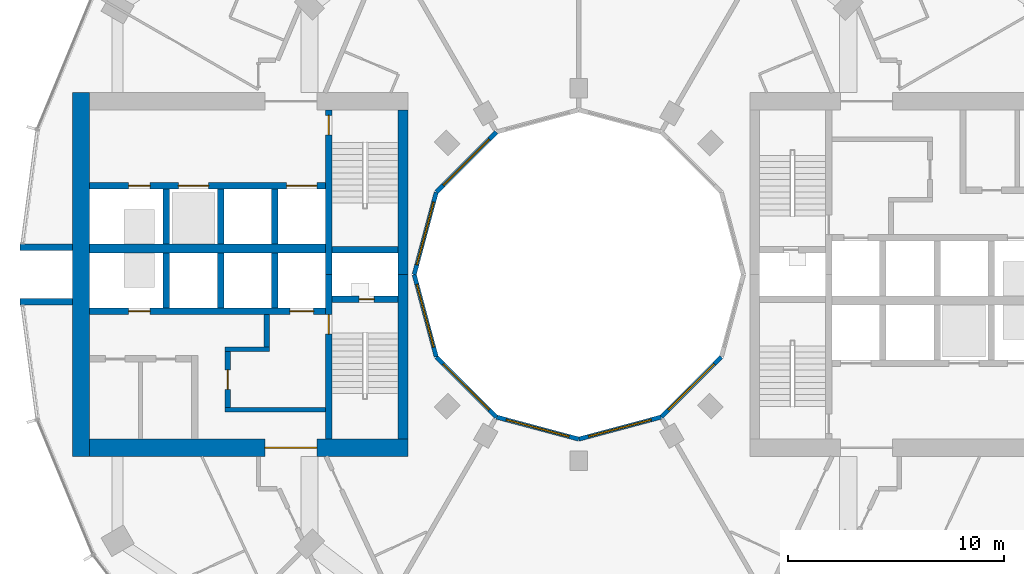
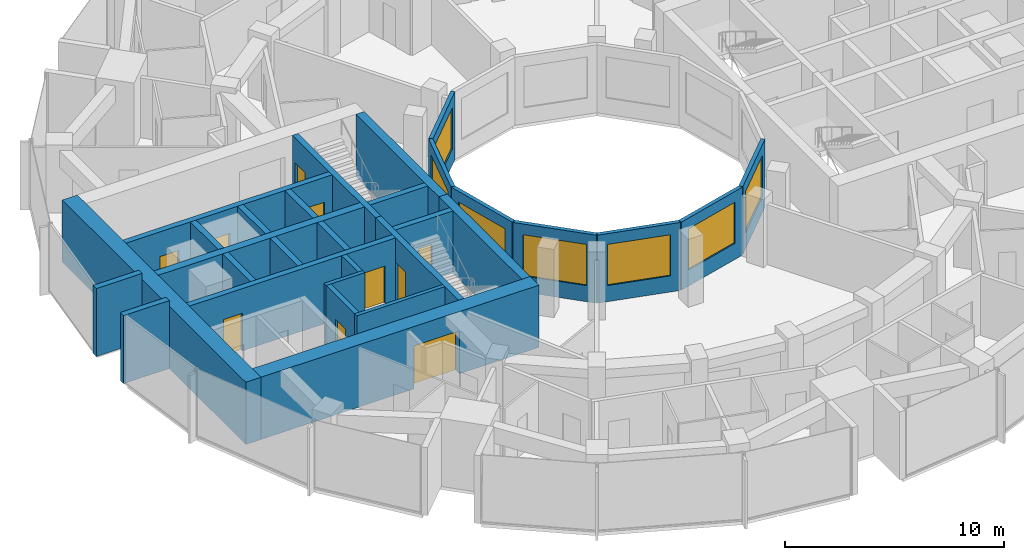
# One storey, part 9 of 15: 30 walls, 10 doors, 7 windows, 17 openings.
"""IFC4 building model written with IfcOpenShell, lengths in metres."""

from ifc_helpers import new_model, si_unit, direction, frame, frame_2d, origin, place, context, subcontext, project, spatial, rectangle, extrude, material, layer, layer_set, type_object, element, fill, save


model = new_model("IFC4")

# Units and contexts
model_context = context("Model", 3, precision=1e-05, world=origin(), true_north=direction((0.0, 1.0)))
body_context = subcontext(model_context, "Body", "Model", "MODEL_VIEW")
ifc_project = project(units=[si_unit("LENGTHUNIT", "METRE"), si_unit("AREAUNIT", "SQUARE_METRE"), si_unit("VOLUMEUNIT", "CUBIC_METRE"), si_unit("PLANEANGLEUNIT", "RADIAN"), si_unit("MASSUNIT", "GRAM", prefix="KILO")], contexts=[model_context])

# Site, building, storey
site_placement = place(None, origin())
site = spatial("IfcSite", under=ifc_project, at=site_placement, CompositionType="ELEMENT")
building_placement = place(site_placement, origin())
building = spatial("IfcBuilding", under=site, at=building_placement, Name="Torre Brocal", CompositionType="ELEMENT")
storey_placement = place(building_placement, frame((0.0, 0.0, 82.39990234375)))
storey = spatial("IfcBuildingStorey", under=building, at=storey_placement, Name="L18", CompositionType="ELEMENT", Elevation=82.39990234375)

# Walls
ifc_material_1 = material(Name="Concrete C80", Category="concrete")
ifc_layer_1 = layer(ifc_material_1, 0.199951171875)
ifc_layer_set_1 = layer_set([ifc_layer_1], Name="Concrete C80")
wall_type_1 = type_object("IfcWallType", Name="CORE WALL 200 C80", PredefinedType="SHEAR", material=ifc_layer_set_1)
wall_1_placement = place(storey_placement, frame((68.300048828125, 68.75, 0.0), z_axis=(0.0, 0.0, 1.0), x_axis=(-1.0, 0.0, 0.0)))
element("IfcWall", 1, at=wall_1_placement, inside=storey, type_object=wall_type_1, Name="Wall CW200-80", PredefinedType="SHEAR", context=body_context, shape_type="SweptSolid", body=[
    extrude(rectangle(XDim=4.650146484375, YDim=0.199951171875, at=frame_2d((2.3251953125, 0.0))), origin(), (0.0, 0.0, 1.0), 3.47998046875),
])
wall_2_placement = place(storey_placement, frame((65.699951171875, 71.550048828125, 0.0), z_axis=(0.0, 0.0, 1.0), x_axis=(-1.0, 0.0, 0.0)))
element("IfcWall", 2, at=wall_2_placement, inside=storey, type_object=wall_type_1, Name="Wall CW200-80", PredefinedType="SHEAR", context=body_context, shape_type="SweptSolid", body=[
    extrude(rectangle(XDim=2.050048828125, YDim=0.199951171875, at=frame_2d((1.02490234375, 0.0))), origin(), (0.0, 0.0, 1.0), 3.47998046875),
])

# Wall, opening, door
ifc_material_2 = material(Name="Concrete C80", Category="concrete")
ifc_layer_2 = layer(ifc_material_2, 0.25)
ifc_layer_set_2 = layer_set([ifc_layer_2], Name="Concrete C80")
wall_type_2 = type_object("IfcWallType", Name="CORE WALL 250 C80", PredefinedType="SHEAR", material=ifc_layer_set_2)
wall_3_placement = place(storey_placement, frame((63.77490234375, 71.449951171875, 0.0), z_axis=(0.0, 0.0, 1.0), x_axis=(0.0, -1.0, 0.0)))
wall_3 = element("IfcWall", 3, at=wall_3_placement, inside=storey, type_object=wall_type_2, Name="Wall CW250-80", PredefinedType="SHEAR", context=body_context, shape_type="SweptSolid", body=[
    extrude(rectangle(XDim=2.599853515625, YDim=0.25, at=frame_2d((1.2998046875, 0.0))), origin(), (0.0, 0.0, 1.0), 3.47998046875),
])
opening_1_placement = place(wall_3_placement, frame((0.85009765625, 0.0, 0.0)))
opening_1 = element("IfcOpeningElement", 4, at=opening_1_placement, cuts=wall_3, Name="Opening W-D15", PredefinedType="OPENING", context=body_context, shape_type="SweptSolid", body=[
    extrude(rectangle(XDim=0.89990234375, YDim=2.10009765625, at=frame_2d((0.449951171875, 1.050048828125))), frame((0.0, 0.135009765625, 0.0), z_axis=(0.0, -1.0, 0.0), x_axis=(1.0, 0.0, 0.0)), (0.0, 0.0, 1.0), 0.27001953125),
])
ifc_material_3 = material(Name="Steel A653", Category="steel")
door_type_1 = type_object("IfcDoorType", Name="LOBBY DOOR FD120 900X2100", OperationType="SINGLE_SWING_RIGHT", PredefinedType="DOOR", material=ifc_material_3)
door_1_placement = place(opening_1_placement, origin())
door_1 = element("IfcDoor", 5, at=door_1_placement, inside=storey, type_object=door_type_1, Name="Door W-D15", OperationType="SINGLE_SWING_LEFT", OverallHeight=2.10009765625, OverallWidth=0.89990234375, PredefinedType="DOOR", context=body_context, shape_type="SweptSolid", body=[
    extrude(rectangle(XDim=0.89990234375, YDim=2.10009765625, at=frame_2d((0.449951171875, 1.050048828125))), frame((0.0, 0.02490234375, 0.0), z_axis=(0.0, -1.0, 0.0), x_axis=(1.0, 0.0, 0.0)), (0.0, 0.0, 1.0), 0.050048828125),
])
fill(opening_1, door_1)

# Wall
wall_4_placement = place(storey_placement, frame((65.574951171875, 73.14990234375, 0.0), z_axis=(0.0, 0.0, 1.0), x_axis=(0.0, -1.0, 0.0)))
element("IfcWall", 6, at=wall_4_placement, inside=storey, type_object=wall_type_2, Name="Wall CW250-80", PredefinedType="SHEAR", context=body_context, shape_type="SweptSolid", body=[
    extrude(rectangle(XDim=1.5, YDim=0.25, at=frame_2d((0.75, 0.0))), origin(), (0.0, 0.0, 1.0), 3.47998046875),
])

# Wall, opening, door
ifc_material_4 = material(Name="Concrete C80", Category="concrete")
ifc_layer_3 = layer(ifc_material_4, 0.300048828125)
ifc_layer_set_3 = layer_set([ifc_layer_3], Name="Concrete C80")
wall_type_3 = type_object("IfcWallType", Name="CORE WALL 300 C80", PredefinedType="SHEAR", material=ifc_layer_set_3)
wall_5_placement = place(storey_placement, frame((68.449951171875, 75.0, 0.0), z_axis=(0.0, 0.0, 1.0), x_axis=(0.0, -1.0, 0.0)))
wall_5 = element("IfcWall", 7, at=wall_5_placement, inside=storey, type_object=wall_type_3, Name="Wall CW300-80", PredefinedType="SHEAR", context=body_context, shape_type="SweptSolid", body=[
    extrude(rectangle(XDim=7.60009765625, YDim=0.300048828125, at=frame_2d((3.800048828125, 0.0))), origin(), (0.0, 0.0, 1.0), 3.47998046875),
])
opening_2_placement = place(wall_5_placement, frame((1.85009765625, 0.0, 0.0)))
opening_2 = element("IfcOpeningElement", 8, at=opening_2_placement, cuts=wall_5, Name="Opening W-D02", PredefinedType="OPENING", context=body_context, shape_type="SweptSolid", body=[
    extrude(rectangle(XDim=0.89990234375, YDim=2.10009765625, at=frame_2d((0.449951171875, 1.050048828125))), frame((0.0, 0.159912109375, 0.0), z_axis=(0.0, -1.0, 0.0), x_axis=(1.0, 0.0, 0.0)), (0.0, 0.0, 1.0), 0.320068359375),
])
ifc_material_5 = material(Name="Steel A653", Category="steel")
door_type_2 = type_object("IfcDoorType", Name="STAIR DOOR FD120 900X2100", OperationType="SINGLE_SWING_RIGHT", PredefinedType="DOOR", material=ifc_material_5)
door_2_placement = place(opening_2_placement, origin())
door_2 = element("IfcDoor", 9, at=door_2_placement, inside=storey, type_object=door_type_2, Name="Door W-D02", OperationType="SINGLE_SWING_LEFT", OverallHeight=2.10009765625, OverallWidth=0.89990234375, PredefinedType="DOOR", context=body_context, shape_type="SweptSolid", body=[
    extrude(rectangle(XDim=0.89990234375, YDim=2.10009765625, at=frame_2d((0.449951171875, 1.050048828125))), frame((0.0, 0.02490234375, 0.0), z_axis=(0.0, -1.0, 0.0), x_axis=(1.0, 0.0, 0.0)), (0.0, 0.0, 1.0), 0.050048828125),
])
fill(opening_2, door_2)

wall_6_placement = place(storey_placement, frame((68.449951171875, 82.60009765625, 0.0), z_axis=(0.0, 0.0, 1.0), x_axis=(0.0, -1.0, 0.0)))
wall_6 = element("IfcWall", 10, at=wall_6_placement, inside=storey, type_object=wall_type_3, Name="Wall CW300-80", PredefinedType="SHEAR", context=body_context, shape_type="SweptSolid", body=[
    extrude(rectangle(XDim=7.60009765625, YDim=0.300048828125, at=frame_2d((3.800048828125, 0.0))), origin(), (0.0, 0.0, 1.0), 3.47998046875),
])
opening_3_placement = place(wall_6_placement, frame((0.25, 0.0, 0.0)))
opening_3 = element("IfcOpeningElement", 11, at=opening_3_placement, cuts=wall_6, Name="Opening W-D03", PredefinedType="OPENING", context=body_context, shape_type="SweptSolid", body=[
    extrude(rectangle(XDim=0.89990234375, YDim=2.10009765625, at=frame_2d((0.449951171875, 1.050048828125))), frame((0.0, 0.159912109375, 0.0), z_axis=(0.0, -1.0, 0.0), x_axis=(1.0, 0.0, 0.0)), (0.0, 0.0, 1.0), 0.320068359375),
])
door_3_placement = place(opening_3_placement, origin())
door_3 = element("IfcDoor", 12, at=door_3_placement, inside=storey, type_object=door_type_2, Name="Door W-D03", OperationType="SINGLE_SWING_LEFT", OverallHeight=2.10009765625, OverallWidth=0.89990234375, PredefinedType="DOOR", context=body_context, shape_type="SweptSolid", body=[
    extrude(rectangle(XDim=0.89990234375, YDim=2.10009765625, at=frame_2d((0.449951171875, 1.050048828125))), frame((0.0, 0.02490234375, 0.0), z_axis=(0.0, -1.0, 0.0), x_axis=(1.0, 0.0, 0.0)), (0.0, 0.0, 1.0), 0.050048828125),
])
fill(opening_3, door_3)

wall_7_placement = place(storey_placement, frame((71.64990234375, 73.85009765625, 0.0), z_axis=(0.0, 0.0, 1.0), x_axis=(-1.0, 0.0, 0.0)))
wall_7 = element("IfcWall", 13, at=wall_7_placement, inside=storey, type_object=wall_type_3, Name="Wall CW300-80", PredefinedType="SHEAR", context=body_context, shape_type="SweptSolid", body=[
    extrude(rectangle(XDim=3.0498046875, YDim=0.300048828125, at=frame_2d((1.52490234375, 0.0))), origin(), (0.0, 0.0, 1.0), 3.47998046875),
])
opening_4_placement = place(wall_7_placement, frame((1.10009765625, 0.0, 0.0)))
opening_4 = element("IfcOpeningElement", 14, at=opening_4_placement, cuts=wall_7, Name="Opening W-D01", PredefinedType="OPENING", context=body_context, shape_type="SweptSolid", body=[
    extrude(rectangle(XDim=0.699951171875, YDim=2.0, at=frame_2d((0.35009765625, 1.0))), frame((0.0, 0.159912109375, 0.0), z_axis=(0.0, -1.0, 0.0), x_axis=(1.0, 0.0, 0.0)), (0.0, 0.0, 1.0), 0.320068359375),
])
ifc_material_6 = material(Name="Steel A653", Category="steel")
door_type_3 = type_object("IfcDoorType", Name="RISER DOOR FD120 700X2000", OperationType="SINGLE_SWING_LEFT", PredefinedType="DOOR", material=ifc_material_6)
door_4_placement = place(opening_4_placement, frame((0.699951171875, 0.0, 0.0), z_axis=(0.0, 0.0, 1.0), x_axis=(-1.0, 0.0, 0.0)))
door_4 = element("IfcDoor", 15, at=door_4_placement, inside=storey, type_object=door_type_3, Name="Door W-D01", OperationType="SINGLE_SWING_RIGHT", OverallHeight=2.0, OverallWidth=0.699951171875, PredefinedType="DOOR", context=body_context, shape_type="SweptSolid", body=[
    extrude(rectangle(XDim=0.699951171875, YDim=2.0, at=frame_2d((0.35009765625, 1.0))), frame((0.0, 0.02490234375, 0.0), z_axis=(0.0, -1.0, 0.0), x_axis=(1.0, 0.0, 0.0)), (0.0, 0.0, 1.0), 0.050048828125),
])
fill(opening_4, door_4)

# Wall
wall_8_placement = place(storey_placement, frame((71.64990234375, 76.14990234375, 0.0), z_axis=(0.0, 0.0, 1.0), x_axis=(-1.0, 0.0, 0.0)))
element("IfcWall", 16, at=wall_8_placement, inside=storey, type_object=wall_type_3, Name="Wall CW300-80", PredefinedType="SHEAR", context=body_context, shape_type="SweptSolid", body=[
    extrude(rectangle(XDim=3.0498046875, YDim=0.300048828125, at=frame_2d((1.52490234375, 0.0))), origin(), (0.0, 0.0, 1.0), 3.47998046875),
])

# Wall, openings, doors
wall_9_placement = place(storey_placement, frame((68.300048828125, 73.300048828125, 0.0), z_axis=(0.0, 0.0, 1.0), x_axis=(-1.0, 0.0, 0.0)))
wall_9 = element("IfcWall", 17, at=wall_9_placement, inside=storey, type_object=wall_type_3, Name="Wall CW300-80", PredefinedType="SHEAR", context=body_context, shape_type="SweptSolid", body=[
    extrude(rectangle(XDim=10.900146484375, YDim=0.300048828125, at=frame_2d((5.4501953125, 0.0))), origin(), (0.0, 0.0, 1.0), 3.47998046875),
])
opening_5_placement = place(wall_9_placement, frame((0.550048828125, 0.0, 0.0)))
opening_5 = element("IfcOpeningElement", 18, at=opening_5_placement, cuts=wall_9, Name="Opening LD", PredefinedType="OPENING", context=body_context, shape_type="SweptSolid", body=[
    extrude(rectangle(XDim=1.10009765625, YDim=2.10009765625, at=frame_2d((0.550048828125, 1.050048828125))), frame((0.0, 0.159912109375, 0.0), z_axis=(0.0, -1.0, 0.0), x_axis=(1.0, 0.0, 0.0)), (0.0, 0.0, 1.0), 0.320068359375),
])
opening_6_placement = place(wall_9_placement, frame((8.10009765625, 0.0, 0.0)))
opening_6 = element("IfcOpeningElement", 19, at=opening_6_placement, cuts=wall_9, Name="Opening LD10", PredefinedType="OPENING", context=body_context, shape_type="SweptSolid", body=[
    extrude(rectangle(XDim=1.0, YDim=2.10009765625, at=frame_2d((0.5, 1.050048828125))), frame((0.0, 0.159912109375, 0.0), z_axis=(0.0, -1.0, 0.0), x_axis=(1.0, 0.0, 0.0)), (0.0, 0.0, 1.0), 0.320068359375),
])
ifc_material_7 = material(Name="Stainless steel AISI 316", Category="steel")
door_type_4 = type_object("IfcDoorType", Name="LIFT LANDING DOOR 1000X2100", OperationType="DOUBLE_DOOR_SLIDING", PredefinedType="DOOR", material=ifc_material_7)
door_5_placement = place(opening_6_placement, origin())
door_5 = element("IfcDoor", 20, at=door_5_placement, inside=storey, type_object=door_type_4, Name="Door LD10", OperationType="DOUBLE_DOOR_SLIDING", OverallHeight=2.10009765625, OverallWidth=1.0, PredefinedType="DOOR", context=body_context, shape_type="SweptSolid", body=[
    extrude(rectangle(XDim=1.0, YDim=2.10009765625, at=frame_2d((0.5, 1.050048828125))), frame((0.0, 0.02490234375, 0.0), z_axis=(0.0, -1.0, 0.0), x_axis=(1.0, 0.0, 0.0)), (0.0, 0.0, 1.0), 0.050048828125),
])
fill(opening_6, door_5)
ifc_material_8 = material(Name="Stainless steel AISI 316", Category="steel")
door_type_5 = type_object("IfcDoorType", Name="LIFT LANDING DOOR 1100X2100", OperationType="DOUBLE_DOOR_SLIDING", PredefinedType="DOOR", material=ifc_material_8)
door_6_placement = place(opening_5_placement, origin())
door_6 = element("IfcDoor", 21, at=door_6_placement, inside=storey, type_object=door_type_5, Name="Door LD", OperationType="DOUBLE_DOOR_SLIDING", OverallHeight=2.10009765625, OverallWidth=1.10009765625, PredefinedType="DOOR", context=body_context, shape_type="SweptSolid", body=[
    extrude(rectangle(XDim=1.10009765625, YDim=2.10009765625, at=frame_2d((0.550048828125, 1.050048828125))), frame((0.0, 0.02490234375, 0.0), z_axis=(0.0, -1.0, 0.0), x_axis=(1.0, 0.0, 0.0)), (0.0, 0.0, 1.0), 0.050048828125),
])
fill(opening_5, door_6)

wall_10_placement = place(storey_placement, frame((68.300048828125, 79.10009765625, 0.0), z_axis=(0.0, 0.0, 1.0), x_axis=(-1.0, 0.0, 0.0)))
wall_10 = element("IfcWall", 22, at=wall_10_placement, inside=storey, type_object=wall_type_3, Name="Wall CW300-80", PredefinedType="SHEAR", context=body_context, shape_type="SweptSolid", body=[
    extrude(rectangle(XDim=10.900146484375, YDim=0.300048828125, at=frame_2d((5.4501953125, 0.0))), origin(), (0.0, 0.0, 1.0), 3.47998046875),
])
opening_7_placement = place(wall_10_placement, frame((0.39990234375, 0.0, 0.0)))
opening_7 = element("IfcOpeningElement", 23, at=opening_7_placement, cuts=wall_10, Name="Opening LD14", PredefinedType="OPENING", context=body_context, shape_type="SweptSolid", body=[
    extrude(rectangle(XDim=1.39990234375, YDim=2.10009765625, at=frame_2d((0.699951171875, 1.050048828125))), frame((0.0, 0.159912109375, 0.0), z_axis=(0.0, -1.0, 0.0), x_axis=(1.0, 0.0, 0.0)), (0.0, 0.0, 1.0), 0.320068359375),
])
opening_8_placement = place(wall_10_placement, frame((5.39990234375, 0.0, 0.0)))
opening_8 = element("IfcOpeningElement", 24, at=opening_8_placement, cuts=wall_10, Name="Opening LD14", PredefinedType="OPENING", context=body_context, shape_type="SweptSolid", body=[
    extrude(rectangle(XDim=1.39990234375, YDim=2.10009765625, at=frame_2d((0.699951171875, 1.050048828125))), frame((0.0, 0.159912109375, 0.0), z_axis=(0.0, -1.0, 0.0), x_axis=(1.0, 0.0, 0.0)), (0.0, 0.0, 1.0), 0.320068359375),
])
opening_9_placement = place(wall_10_placement, frame((8.10009765625, 0.0, 0.0)))
opening_9 = element("IfcOpeningElement", 25, at=opening_9_placement, cuts=wall_10, Name="Opening LD10", PredefinedType="OPENING", context=body_context, shape_type="SweptSolid", body=[
    extrude(rectangle(XDim=1.0, YDim=2.10009765625, at=frame_2d((0.5, 1.050048828125))), frame((0.0, 0.159912109375, 0.0), z_axis=(0.0, -1.0, 0.0), x_axis=(1.0, 0.0, 0.0)), (0.0, 0.0, 1.0), 0.320068359375),
])
door_7_placement = place(opening_9_placement, origin())
door_7 = element("IfcDoor", 26, at=door_7_placement, inside=storey, type_object=door_type_4, Name="Door LD10", OperationType="DOUBLE_DOOR_SLIDING", OverallHeight=2.10009765625, OverallWidth=1.0, PredefinedType="DOOR", context=body_context, shape_type="SweptSolid", body=[
    extrude(rectangle(XDim=1.0, YDim=2.10009765625, at=frame_2d((0.5, 1.050048828125))), frame((0.0, 0.02490234375, 0.0), z_axis=(0.0, -1.0, 0.0), x_axis=(1.0, 0.0, 0.0)), (0.0, 0.0, 1.0), 0.050048828125),
])
fill(opening_9, door_7)
ifc_material_9 = material(Name="Stainless steel AISI 316", Category="steel")
door_type_6 = type_object("IfcDoorType", Name="LIFT LANDING DOOR 1400X2100", OperationType="DOUBLE_DOOR_SLIDING", PredefinedType="DOOR", material=ifc_material_9)
door_8_placement = place(opening_7_placement, origin())
door_8 = element("IfcDoor", 27, at=door_8_placement, inside=storey, type_object=door_type_6, Name="Door LD14", OperationType="DOUBLE_DOOR_SLIDING", OverallHeight=2.10009765625, OverallWidth=1.39990234375, PredefinedType="DOOR", context=body_context, shape_type="SweptSolid", body=[
    extrude(rectangle(XDim=1.39990234375, YDim=2.10009765625, at=frame_2d((0.699951171875, 1.050048828125))), frame((0.0, 0.02490234375, 0.0), z_axis=(0.0, -1.0, 0.0), x_axis=(1.0, 0.0, 0.0)), (0.0, 0.0, 1.0), 0.050048828125),
])
fill(opening_7, door_8)
door_9_placement = place(opening_8_placement, origin())
door_9 = element("IfcDoor", 28, at=door_9_placement, inside=storey, type_object=door_type_6, Name="Door LD14", OperationType="DOUBLE_DOOR_SLIDING", OverallHeight=2.10009765625, OverallWidth=1.39990234375, PredefinedType="DOOR", context=body_context, shape_type="SweptSolid", body=[
    extrude(rectangle(XDim=1.39990234375, YDim=2.10009765625, at=frame_2d((0.699951171875, 1.050048828125))), frame((0.0, 0.02490234375, 0.0), z_axis=(0.0, -1.0, 0.0), x_axis=(1.0, 0.0, 0.0)), (0.0, 0.0, 1.0), 0.050048828125),
])
fill(opening_8, door_9)

# Walls
for number, where, z_axis, x_axis, name in (
    (29, (65.949951171875, 76.0, 0.0), (0.0, 0.0, 1.0), (0.0, -1.0, 0.0), "Wall CW300-80"),
    (30, (63.449951171875, 76.0, 0.0), (0.0, 0.0, 1.0), (0.0, -1.0, 0.0), "Wall CW300-80"),
    (31, (60.949951171875, 76.0, 0.0), (0.0, 0.0, 1.0), (0.0, -1.0, 0.0), "Wall CW300-80"),
    (32, (65.949951171875, 78.949951171875, 0.0), (0.0, 0.0, 1.0), (0.0, -1.0, 0.0), "Wall CW300-80"),
    (33, (63.449951171875, 78.949951171875, 0.0), (0.0, 0.0, 1.0), (0.0, -1.0, 0.0), "Wall CW300-80"),
    (34, (60.949951171875, 78.949951171875, 0.0), (0.0, 0.0, 1.0), (0.0, -1.0, 0.0), "Wall CW300-80"),
):
    element("IfcWall", number, at=place(storey_placement, frame(where, z_axis=z_axis, x_axis=x_axis)), inside=storey, type_object=wall_type_3, Name=name, PredefinedType="SHEAR", context=body_context, shape_type="SweptSolid", body=[
        extrude(rectangle(XDim=2.550048828125, YDim=0.300048828125, at=frame_2d((1.27490234375, 0.0))), origin(), (0.0, 0.0, 1.0), 3.47998046875),
    ])
ifc_material_10 = material(Name="Concrete C80", Category="concrete")
ifc_layer_4 = layer(ifc_material_10, 0.39990234375)
ifc_layer_set_4 = layer_set([ifc_layer_4], Name="Concrete C80")
wall_type_4 = type_object("IfcWallType", Name="CORE WALL 400 C80", PredefinedType="SHEAR", material=ifc_layer_set_4)
wall_11_placement = place(storey_placement, frame((68.300048828125, 76.199951171875, 0.0), z_axis=(0.0, 0.0, 1.0), x_axis=(-1.0, 0.0, 0.0)))
element("IfcWall", 35, at=wall_11_placement, inside=storey, type_object=wall_type_4, Name="Wall CW400-80", PredefinedType="SHEAR", context=body_context, shape_type="SweptSolid", body=[
    extrude(rectangle(XDim=10.900146484375, YDim=0.39990234375, at=frame_2d((5.4501953125, 0.0))), origin(), (0.0, 0.0, 1.0), 3.47998046875),
])
ifc_material_11 = material(Name="Concrete C80", Category="concrete")
ifc_layer_5 = layer(ifc_material_11, 0.449951171875)
ifc_layer_set_5 = layer_set([ifc_layer_5], Name="Concrete C80")
wall_type_5 = type_object("IfcWallType", Name="CORE WALL 450 C80", PredefinedType="SHEAR", material=ifc_layer_set_5)
for number, where, z_axis, x_axis, name in (
    (36, (71.875, 75.0, 0.0), (0.0, 0.0, 1.0), (0.0, -1.0, 0.0), "Wall CW450-80"),
    (37, (71.875, 82.60009765625, 0.0), (0.0, 0.0, 1.0), (0.0, -1.0, 0.0), "Wall CW450-80"),
):
    element("IfcWall", number, at=place(storey_placement, frame(where, z_axis=z_axis, x_axis=x_axis)), inside=storey, type_object=wall_type_5, Name=name, PredefinedType="SHEAR", context=body_context, shape_type="SweptSolid", body=[
        extrude(rectangle(XDim=7.60009765625, YDim=0.449951171875, at=frame_2d((3.800048828125, 0.0))), origin(), (0.0, 0.0, 1.0), 3.47998046875),
    ])

# Wall, opening, door
ifc_material_12 = material(Name="Concrete C80", Category="concrete")
ifc_layer_6 = layer(ifc_material_12, 0.800048828125)
ifc_layer_set_6 = layer_set([ifc_layer_6], Name="Concrete C80")
wall_type_6 = type_object("IfcWallType", Name="CORE WALL 800 C80", PredefinedType="SHEAR", material=ifc_layer_set_6)
wall_12_placement = place(storey_placement, frame((72.10009765625, 67.0, 0.0), z_axis=(0.0, 0.0, 1.0), x_axis=(-1.0, 0.0, 0.0)))
wall_12 = element("IfcWall", 38, at=wall_12_placement, inside=storey, type_object=wall_type_6, Name="Wall CW800-80", PredefinedType="SHEAR", context=body_context, shape_type="SweptSolid", body=[
    extrude(rectangle(XDim=14.7001953125, YDim=0.800048828125, at=frame_2d((7.35009765625, 0.0))), origin(), (0.0, 0.0, 1.0), 3.47998046875),
])
opening_10_placement = place(wall_12_placement, frame((4.199951171875, 0.0, 0.0)))
opening_10 = element("IfcOpeningElement", 39, at=opening_10_placement, cuts=wall_12, Name="Opening W-D24", PredefinedType="OPENING", context=body_context, shape_type="SweptSolid", body=[
    extrude(rectangle(XDim=2.39990234375, YDim=2.39990234375, at=frame_2d((1.199951171875, 1.199951171875))), frame((0.0, 0.409912109375, 0.0), z_axis=(0.0, -1.0, 0.0), x_axis=(1.0, 0.0, 0.0)), (0.0, 0.0, 1.0), 0.820068359375),
])
ifc_material_13 = material(Name="Steel A653", Category="steel")
door_type_7 = type_object("IfcDoorType", Name="DOUBLE FIRE DOOR FD90 2400X2400", OperationType="DOUBLE_DOOR_SINGLE_SWING", PredefinedType="DOOR", material=ifc_material_13)
door_10_placement = place(opening_10_placement, frame((2.39990234375, 0.0, 0.0), z_axis=(0.0, 0.0, 1.0), x_axis=(-1.0, 0.0, 0.0)))
door_10 = element("IfcDoor", 40, at=door_10_placement, inside=storey, type_object=door_type_7, Name="Door W-D24", OperationType="DOUBLE_DOOR_SINGLE_SWING", OverallHeight=2.39990234375, OverallWidth=2.39990234375, PredefinedType="DOOR", context=body_context, shape_type="SweptSolid", body=[
    extrude(rectangle(XDim=2.39990234375, YDim=2.39990234375, at=frame_2d((1.199951171875, 1.199951171875))), frame((0.0, 0.02490234375, 0.0), z_axis=(0.0, -1.0, 0.0), x_axis=(1.0, 0.0, 0.0)), (0.0, 0.0, 1.0), 0.050048828125),
])
fill(opening_10, door_10)

# Walls
wall_13_placement = place(storey_placement, frame((57.0, 83.39990234375, 0.0), z_axis=(0.0, 0.0, 1.0), x_axis=(0.0, -1.0, 0.0)))
element("IfcWall", 41, at=wall_13_placement, inside=storey, type_object=wall_type_6, Name="Wall CW800-80", PredefinedType="SHEAR", context=body_context, shape_type="SweptSolid", body=[
    extrude(rectangle(XDim=16.7998046875, YDim=0.800048828125, at=frame_2d((8.39990234375, 0.0))), origin(), (0.0, 0.0, 1.0), 3.47998046875),
])
ifc_material_14 = material(Name="Concrete C80", Category="concrete")
ifc_layer_7 = layer(ifc_material_14, 0.300048828125)
ifc_layer_set_7 = layer_set([ifc_layer_7], Name="Concrete C80")
wall_type_7 = type_object("IfcWallType", Name="NOTCH RETURN WALL 300 C80", PredefinedType="NOTDEFINED", material=ifc_layer_set_7)
for number, where, z_axis, x_axis, name in (
    (42, (56.60009765625, 76.25, 0.0), (0.0, 0.0, 1.0), (-1.0, 0.0, 0.0), "NOTCH RETURN WALL"),
    (43, (56.60009765625, 73.75, 0.0), (0.0, 0.0, 1.0), (-1.0, 0.0, 0.0), "NOTCH RETURN WALL"),
):
    element("IfcWall", number, at=place(storey_placement, frame(where, z_axis=z_axis, x_axis=x_axis)), inside=storey, type_object=wall_type_7, Name=name, PredefinedType="NOTDEFINED", context=body_context, shape_type="SweptSolid", body=[
        extrude(rectangle(XDim=2.415771484375, YDim=0.300048828125, at=frame_2d((1.2080078125, 0.0))), origin(), (0.0, 0.0, 1.0), 3.800048828125),
    ])

# Wall, opening, window
ifc_material_15 = material(Name="Concrete C40", Category="concrete")
ifc_layer_8 = layer(ifc_material_15, 0.199951171875)
ifc_layer_set_8 = layer_set([ifc_layer_8], Name="Concrete C40")
wall_type_8 = type_object("IfcWallType", Name="WELL FACADE WALL 200", PredefinedType="NOTDEFINED", material=ifc_layer_set_8)
wall_14_placement = place(storey_placement, frame((76.1982421875, 81.5849609375, 0.0), z_axis=(0.0, 0.0, 1.0), x_axis=(-0.707106781187, -0.707106781187, 0.0)))
wall_14 = element("IfcWall", 44, at=wall_14_placement, inside=storey, type_object=wall_type_8, Name="WELL FACADE WALL", PredefinedType="NOTDEFINED", context=body_context, shape_type="SweptSolid", body=[
    extrude(rectangle(XDim=3.93603515625, YDim=0.199951171875, at=frame_2d((1.968017578125, 0.0))), origin(), (0.0, 0.0, 1.0), 3.800048828125),
])
opening_11_placement = place(wall_14_placement, frame((0.468017578125, 0.0, 0.89990234375)))
opening_11 = element("IfcOpeningElement", 45, at=opening_11_placement, cuts=wall_14, Name="Opening W1", PredefinedType="OPENING", context=body_context, shape_type="SweptSolid", body=[
    extrude(rectangle(XDim=3.0, YDim=2.300048828125, at=frame_2d((1.5, 1.14990234375))), frame((0.0, 0.10986328125, 0.0), z_axis=(0.0, -1.0, 0.0), x_axis=(1.0, 0.0, 0.0)), (0.0, 0.0, 1.0), 0.219970703125),
])
ifc_material_16 = material(Name="Aluminium and glass", Category="aluminium")
window_type = type_object("IfcWindowType", Name="WELL WINDOW 3000X2300", PartitioningType="SINGLE_PANEL", PredefinedType="WINDOW", material=ifc_material_16)
window_1_placement = place(opening_11_placement, origin())
window_1 = element("IfcWindow", 46, at=window_1_placement, inside=storey, type_object=window_type, Name="WELL WINDOW 3000X2300", OverallHeight=2.300048828125, OverallWidth=3.0, PartitioningType="SINGLE_PANEL", PredefinedType="WINDOW", context=body_context, shape_type="SweptSolid", body=[
    extrude(rectangle(XDim=3.0, YDim=2.300048828125, at=frame_2d((1.5, 1.14990234375))), frame((0.0, 0.030029296875, 0.0), z_axis=(0.0, -1.0, 0.0), x_axis=(1.0, 0.0, 0.0)), (0.0, 0.0, 1.0), 0.06005859375),
])
fill(opening_11, window_1)

wall_15_placement = place(storey_placement, frame((73.4150390625, 78.8017578125, 0.0), z_axis=(0.0, 0.0, 1.0), x_axis=(-0.258789828301, -0.965933654434, 0.0)))
wall_15 = element("IfcWall", 47, at=wall_15_placement, inside=storey, type_object=wall_type_8, Name="WELL FACADE WALL", PredefinedType="NOTDEFINED", context=body_context, shape_type="SweptSolid", body=[
    extrude(rectangle(XDim=3.935791015625, YDim=0.199951171875, at=frame_2d((1.9677734375, 0.0))), origin(), (0.0, 0.0, 1.0), 3.800048828125),
])
opening_12_placement = place(wall_15_placement, frame((0.468017578125, 0.0, 0.89990234375)))
opening_12 = element("IfcOpeningElement", 48, at=opening_12_placement, cuts=wall_15, Name="Opening W1", PredefinedType="OPENING", context=body_context, shape_type="SweptSolid", body=[
    extrude(rectangle(XDim=3.0, YDim=2.300048828125, at=frame_2d((1.5, 1.14990234375))), frame((0.0, 0.10986328125, 0.0), z_axis=(0.0, -1.0, 0.0), x_axis=(1.0, 0.0, 0.0)), (0.0, 0.0, 1.0), 0.219970703125),
])
window_2_placement = place(opening_12_placement, origin())
window_2 = element("IfcWindow", 49, at=window_2_placement, inside=storey, type_object=window_type, Name="WELL WINDOW 3000X2300", OverallHeight=2.300048828125, OverallWidth=3.0, PartitioningType="SINGLE_PANEL", PredefinedType="WINDOW", context=body_context, shape_type="SweptSolid", body=[
    extrude(rectangle(XDim=3.0, YDim=2.300048828125, at=frame_2d((1.5, 1.14990234375))), frame((0.0, 0.030029296875, 0.0), z_axis=(0.0, -1.0, 0.0), x_axis=(1.0, 0.0, 0.0)), (0.0, 0.0, 1.0), 0.06005859375),
])
fill(opening_12, window_2)

wall_16_placement = place(storey_placement, frame((72.396484375, 75.0, 0.0), z_axis=(0.0, 0.0, 1.0), x_axis=(0.258789828301, -0.965933654434, 0.0)))
wall_16 = element("IfcWall", 50, at=wall_16_placement, inside=storey, type_object=wall_type_8, Name="WELL FACADE WALL", PredefinedType="NOTDEFINED", context=body_context, shape_type="SweptSolid", body=[
    extrude(rectangle(XDim=3.935791015625, YDim=0.199951171875, at=frame_2d((1.9677734375, 0.0))), origin(), (0.0, 0.0, 1.0), 3.800048828125),
])
opening_13_placement = place(wall_16_placement, frame((0.468017578125, 0.0, 0.89990234375)))
opening_13 = element("IfcOpeningElement", 51, at=opening_13_placement, cuts=wall_16, Name="Opening W1", PredefinedType="OPENING", context=body_context, shape_type="SweptSolid", body=[
    extrude(rectangle(XDim=3.0, YDim=2.300048828125, at=frame_2d((1.5, 1.14990234375))), frame((0.0, 0.10986328125, 0.0), z_axis=(0.0, -1.0, 0.0), x_axis=(1.0, 0.0, 0.0)), (0.0, 0.0, 1.0), 0.219970703125),
])
window_3_placement = place(opening_13_placement, origin())
window_3 = element("IfcWindow", 52, at=window_3_placement, inside=storey, type_object=window_type, Name="WELL WINDOW 3000X2300", OverallHeight=2.300048828125, OverallWidth=3.0, PartitioningType="SINGLE_PANEL", PredefinedType="WINDOW", context=body_context, shape_type="SweptSolid", body=[
    extrude(rectangle(XDim=3.0, YDim=2.300048828125, at=frame_2d((1.5, 1.14990234375))), frame((0.0, 0.030029296875, 0.0), z_axis=(0.0, -1.0, 0.0), x_axis=(1.0, 0.0, 0.0)), (0.0, 0.0, 1.0), 0.06005859375),
])
fill(opening_13, window_3)

wall_17_placement = place(storey_placement, frame((73.4150390625, 71.1982421875, 0.0), z_axis=(0.0, 0.0, 1.0), x_axis=(0.707106781187, -0.707106781187, 0.0)))
wall_17 = element("IfcWall", 53, at=wall_17_placement, inside=storey, type_object=wall_type_8, Name="WELL FACADE WALL", PredefinedType="NOTDEFINED", context=body_context, shape_type="SweptSolid", body=[
    extrude(rectangle(XDim=3.93603515625, YDim=0.199951171875, at=frame_2d((1.968017578125, 0.0))), origin(), (0.0, 0.0, 1.0), 3.800048828125),
])
opening_14_placement = place(wall_17_placement, frame((0.468017578125, 0.0, 0.89990234375)))
opening_14 = element("IfcOpeningElement", 54, at=opening_14_placement, cuts=wall_17, Name="Opening W1", PredefinedType="OPENING", context=body_context, shape_type="SweptSolid", body=[
    extrude(rectangle(XDim=3.0, YDim=2.300048828125, at=frame_2d((1.5, 1.14990234375))), frame((0.0, 0.10986328125, 0.0), z_axis=(0.0, -1.0, 0.0), x_axis=(1.0, 0.0, 0.0)), (0.0, 0.0, 1.0), 0.219970703125),
])
window_4_placement = place(opening_14_placement, origin())
window_4 = element("IfcWindow", 55, at=window_4_placement, inside=storey, type_object=window_type, Name="WELL WINDOW 3000X2300", OverallHeight=2.300048828125, OverallWidth=3.0, PartitioningType="SINGLE_PANEL", PredefinedType="WINDOW", context=body_context, shape_type="SweptSolid", body=[
    extrude(rectangle(XDim=3.0, YDim=2.300048828125, at=frame_2d((1.5, 1.14990234375))), frame((0.0, 0.030029296875, 0.0), z_axis=(0.0, -1.0, 0.0), x_axis=(1.0, 0.0, 0.0)), (0.0, 0.0, 1.0), 0.06005859375),
])
fill(opening_14, window_4)

wall_18_placement = place(storey_placement, frame((76.1982421875, 68.4150390625, 0.0), z_axis=(0.0, 0.0, 1.0), x_axis=(0.965933654434, -0.258789828301, 0.0)))
wall_18 = element("IfcWall", 56, at=wall_18_placement, inside=storey, type_object=wall_type_8, Name="WELL FACADE WALL", PredefinedType="NOTDEFINED", context=body_context, shape_type="SweptSolid", body=[
    extrude(rectangle(XDim=3.935791015625, YDim=0.199951171875, at=frame_2d((1.9677734375, 0.0))), origin(), (0.0, 0.0, 1.0), 3.800048828125),
])
opening_15_placement = place(wall_18_placement, frame((0.468017578125, 0.0, 0.89990234375)))
opening_15 = element("IfcOpeningElement", 57, at=opening_15_placement, cuts=wall_18, Name="Opening W1", PredefinedType="OPENING", context=body_context, shape_type="SweptSolid", body=[
    extrude(rectangle(XDim=3.0, YDim=2.300048828125, at=frame_2d((1.5, 1.14990234375))), frame((0.0, 0.10986328125, 0.0), z_axis=(0.0, -1.0, 0.0), x_axis=(1.0, 0.0, 0.0)), (0.0, 0.0, 1.0), 0.219970703125),
])
window_5_placement = place(opening_15_placement, origin())
window_5 = element("IfcWindow", 58, at=window_5_placement, inside=storey, type_object=window_type, Name="WELL WINDOW 3000X2300", OverallHeight=2.300048828125, OverallWidth=3.0, PartitioningType="SINGLE_PANEL", PredefinedType="WINDOW", context=body_context, shape_type="SweptSolid", body=[
    extrude(rectangle(XDim=3.0, YDim=2.300048828125, at=frame_2d((1.5, 1.14990234375))), frame((0.0, 0.030029296875, 0.0), z_axis=(0.0, -1.0, 0.0), x_axis=(1.0, 0.0, 0.0)), (0.0, 0.0, 1.0), 0.06005859375),
])
fill(opening_15, window_5)

wall_19_placement = place(storey_placement, frame((80.0, 67.396484375, 0.0), z_axis=(0.0, 0.0, 1.0), x_axis=(0.965933654434, 0.258789828301, 0.0)))
wall_19 = element("IfcWall", 59, at=wall_19_placement, inside=storey, type_object=wall_type_8, Name="WELL FACADE WALL", PredefinedType="NOTDEFINED", context=body_context, shape_type="SweptSolid", body=[
    extrude(rectangle(XDim=3.935791015625, YDim=0.199951171875, at=frame_2d((1.9677734375, 0.0))), origin(), (0.0, 0.0, 1.0), 3.800048828125),
])
opening_16_placement = place(wall_19_placement, frame((0.468017578125, 0.0, 0.89990234375)))
opening_16 = element("IfcOpeningElement", 60, at=opening_16_placement, cuts=wall_19, Name="Opening W1", PredefinedType="OPENING", context=body_context, shape_type="SweptSolid", body=[
    extrude(rectangle(XDim=3.0, YDim=2.300048828125, at=frame_2d((1.5, 1.14990234375))), frame((0.0, 0.10986328125, 0.0), z_axis=(0.0, -1.0, 0.0), x_axis=(1.0, 0.0, 0.0)), (0.0, 0.0, 1.0), 0.219970703125),
])
window_6_placement = place(opening_16_placement, origin())
window_6 = element("IfcWindow", 61, at=window_6_placement, inside=storey, type_object=window_type, Name="WELL WINDOW 3000X2300", OverallHeight=2.300048828125, OverallWidth=3.0, PartitioningType="SINGLE_PANEL", PredefinedType="WINDOW", context=body_context, shape_type="SweptSolid", body=[
    extrude(rectangle(XDim=3.0, YDim=2.300048828125, at=frame_2d((1.5, 1.14990234375))), frame((0.0, 0.030029296875, 0.0), z_axis=(0.0, -1.0, 0.0), x_axis=(1.0, 0.0, 0.0)), (0.0, 0.0, 1.0), 0.06005859375),
])
fill(opening_16, window_6)

wall_20_placement = place(storey_placement, frame((83.8017578125, 68.4150390625, 0.0), z_axis=(0.0, 0.0, 1.0), x_axis=(0.707106781187, 0.707106781187, 0.0)))
wall_20 = element("IfcWall", 62, at=wall_20_placement, inside=storey, type_object=wall_type_8, Name="WELL FACADE WALL", PredefinedType="NOTDEFINED", context=body_context, shape_type="SweptSolid", body=[
    extrude(rectangle(XDim=3.93603515625, YDim=0.199951171875, at=frame_2d((1.968017578125, 0.0))), origin(), (0.0, 0.0, 1.0), 3.800048828125),
])
opening_17_placement = place(wall_20_placement, frame((0.468017578125, 0.0, 0.89990234375)))
opening_17 = element("IfcOpeningElement", 63, at=opening_17_placement, cuts=wall_20, Name="Opening W1", PredefinedType="OPENING", context=body_context, shape_type="SweptSolid", body=[
    extrude(rectangle(XDim=3.0, YDim=2.300048828125, at=frame_2d((1.5, 1.14990234375))), frame((0.0, 0.10986328125, 0.0), z_axis=(0.0, -1.0, 0.0), x_axis=(1.0, 0.0, 0.0)), (0.0, 0.0, 1.0), 0.219970703125),
])
window_7_placement = place(opening_17_placement, origin())
window_7 = element("IfcWindow", 64, at=window_7_placement, inside=storey, type_object=window_type, Name="WELL WINDOW 3000X2300", OverallHeight=2.300048828125, OverallWidth=3.0, PartitioningType="SINGLE_PANEL", PredefinedType="WINDOW", context=body_context, shape_type="SweptSolid", body=[
    extrude(rectangle(XDim=3.0, YDim=2.300048828125, at=frame_2d((1.5, 1.14990234375))), frame((0.0, 0.030029296875, 0.0), z_axis=(0.0, -1.0, 0.0), x_axis=(1.0, 0.0, 0.0)), (0.0, 0.0, 1.0), 0.06005859375),
])
fill(opening_17, window_7)

save(model, "model.ifc")
